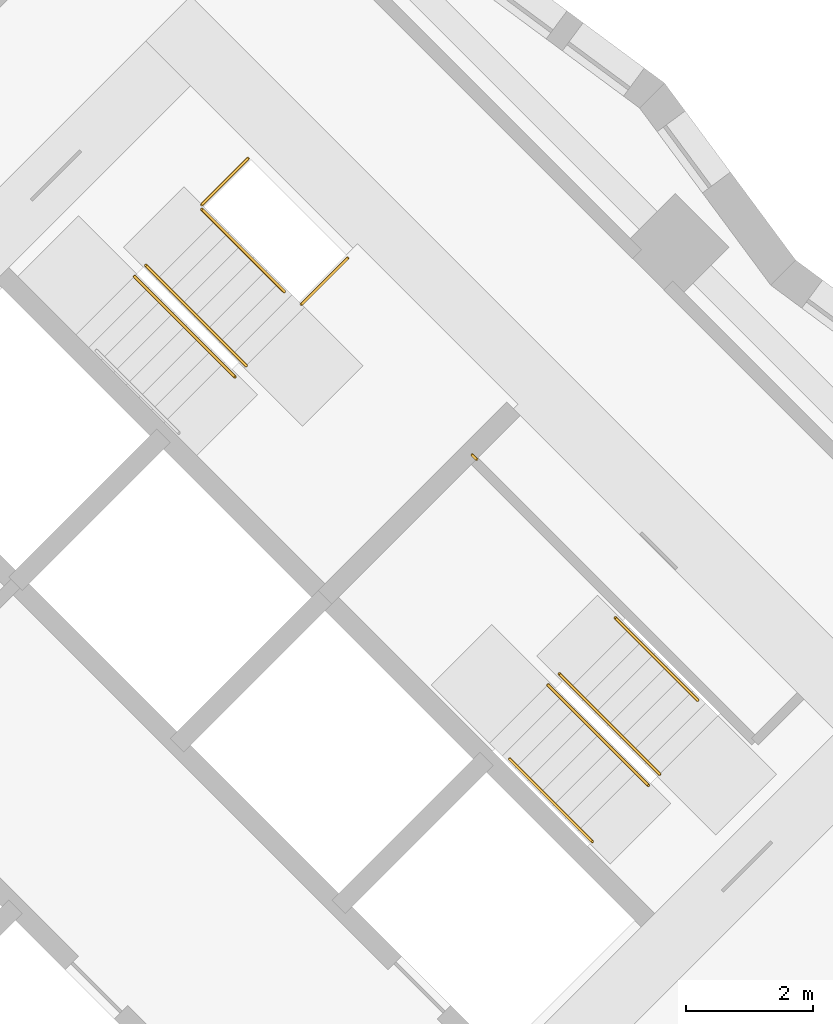
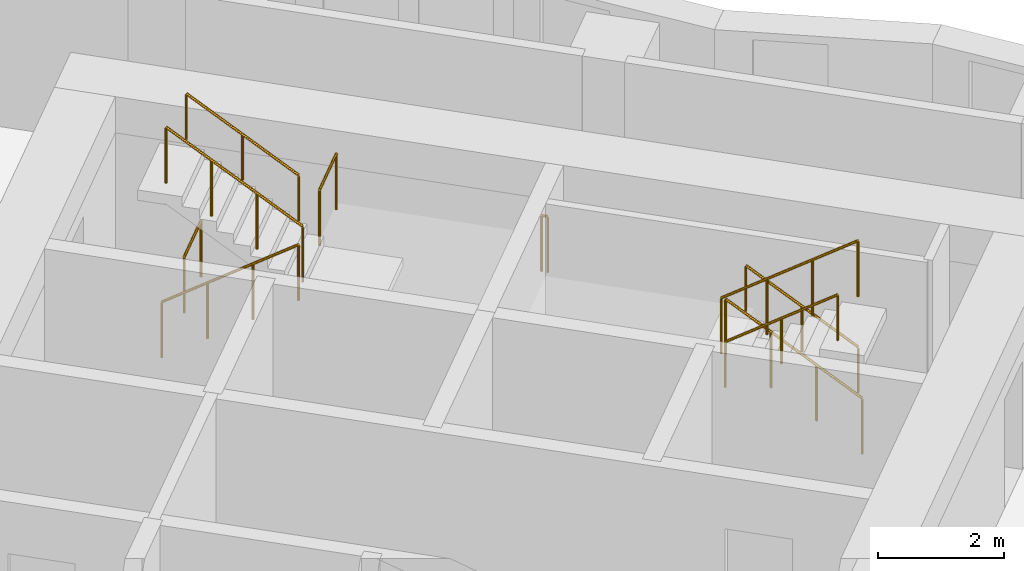
# One storey, part 12 of 12: 10 railings.
"""IFC4 building model written with IfcOpenShell, lengths in metres."""

from ifc_helpers import new_model, si_unit, direction, frame, origin, origin_2d, place, context, subcontext, project, spatial, circle, extrude, material, type_object, element, save


model = new_model("IFC4")

# Units and contexts
model_context = context("Model", 3, precision=1e-05, world=origin(), true_north=direction((0.0, 1.0)))
body_context = subcontext(model_context, "Body", "Model", "MODEL_VIEW")
ifc_project = project(units=[si_unit("LENGTHUNIT", "METRE"), si_unit("AREAUNIT", "SQUARE_METRE"), si_unit("VOLUMEUNIT", "CUBIC_METRE"), si_unit("PLANEANGLEUNIT", "RADIAN"), si_unit("MASSUNIT", "GRAM", prefix="KILO")], contexts=[model_context])

# Site, building, storey
site_placement = place(None, origin())
site = spatial("IfcSite", under=ifc_project, at=site_placement, CompositionType="ELEMENT")
building_placement = place(site_placement, origin())
building = spatial("IfcBuilding", under=site, at=building_placement, Name="Windrow Commons", CompositionType="ELEMENT")
storey_placement = place(building_placement, frame((0.0, 0.0, 50.8)))
storey = spatial("IfcBuildingStorey", under=building, at=storey_placement, Name="L13", CompositionType="ELEMENT", Elevation=50.8)

# Railings
ifc_material_1 = material(Name="Steel S355", Category="steel")
railing_type_1 = type_object("IfcRailingType", Name="Core stair guard 1100", PredefinedType="GUARDRAIL", material=ifc_material_1)
railing_1_placement = place(storey_placement, frame((85.9529, 56.2669, 0.1889)))
element("IfcRailing", 1, at=railing_1_placement, inside=storey, type_object=railing_type_1, Name="L13 ST-B1 stair guard 1", PredefinedType="GUARDRAIL", context=body_context, shape_type="SweptSolid", body=[
    extrude(circle(Radius=0.024, at=origin_2d()), frame((0.0, 0.0, 1.076), z_axis=(0.5861914914, -0.5861914914, 0.5592486664), x_axis=(0.7071067812, 0.7071067812, 0.0)), (0.0, 0.0, 1.0), 2.702),
    extrude(circle(Radius=0.021, at=origin_2d()), origin(), (0.0, 0.0, 1.0), 1.052),
    extrude(circle(Radius=0.021, at=origin_2d()), frame((0.528, -0.528, 0.5037)), (0.0, 0.0, 1.0), 1.052),
    extrude(circle(Radius=0.021, at=origin_2d()), frame((1.0559, -1.0559, 1.0074)), (0.0, 0.0, 1.0), 1.052),
    extrude(circle(Radius=0.021, at=origin_2d()), frame((1.5839, -1.5839, 1.5111)), (0.0, 0.0, 1.0), 1.052),
])
railing_2_placement = place(storey_placement, frame((87.7136, 54.8597, 1.8889)))
element("IfcRailing", 2, at=railing_2_placement, inside=storey, type_object=railing_type_1, Name="L13 ST-B1 stair guard 2", PredefinedType="GUARDRAIL", context=body_context, shape_type="SweptSolid", body=[
    extrude(circle(Radius=0.024, at=origin_2d()), frame((0.0, 0.0, 1.076), z_axis=(-0.5862030657, 0.5862030657, 0.5592244018), x_axis=(-0.7071067812, -0.7071067812, 0.0)), (0.0, 0.0, 1.0), 2.7021),
    extrude(circle(Radius=0.021, at=origin_2d()), origin(), (0.0, 0.0, 1.0), 1.052),
    extrude(circle(Radius=0.021, at=origin_2d()), frame((-0.528, 0.528, 0.5037)), (0.0, 0.0, 1.0), 1.052),
    extrude(circle(Radius=0.021, at=origin_2d()), frame((-1.056, 1.056, 1.0074)), (0.0, 0.0, 1.0), 1.052),
    extrude(circle(Radius=0.021, at=origin_2d()), frame((-1.584, 1.584, 1.5111)), (0.0, 0.0, 1.0), 1.052),
])
railing_3_placement = place(storey_placement, frame((87.0135, 57.3982, 0.0)))
element("IfcRailing", 3, at=railing_3_placement, inside=storey, type_object=railing_type_1, Name="L13 ST-B1 stair guard 3", PredefinedType="GUARDRAIL", context=body_context, shape_type="SweptSolid", body=[
    extrude(circle(Radius=0.024, at=origin_2d()), frame((0.0, 0.0, 1.076), z_axis=(0.7070582378, 0.7071553212, 0.0), x_axis=(-0.7071553212, 0.7070582378, 0.0)), (0.0, 0.0, 1.0), 1.03),
    extrude(circle(Radius=0.021, at=origin_2d()), origin(), (0.0, 0.0, 1.0), 1.052),
    extrude(circle(Radius=0.021, at=origin_2d()), frame((0.7283, 0.7284, 0.0)), (0.0, 0.0, 1.0), 1.052),
])
railing_4_placement = place(storey_placement, frame((88.5833, 55.8285, 1.7)))
element("IfcRailing", 4, at=railing_4_placement, inside=storey, type_object=railing_type_1, Name="L13 ST-B1 stair guard 4", PredefinedType="GUARDRAIL", context=body_context, shape_type="SweptSolid", body=[
    extrude(circle(Radius=0.024, at=origin_2d()), frame((0.0, 0.0, 1.076), z_axis=(0.7071067812, 0.7071067812, 0.0), x_axis=(-0.7071067812, 0.7071067812, 0.0)), (0.0, 0.0, 1.0), 1.03),
    extrude(circle(Radius=0.021, at=origin_2d()), origin(), (0.0, 0.0, 1.0), 1.052),
    extrude(circle(Radius=0.021, at=origin_2d()), frame((0.7283, 0.7283, 0.0)), (0.0, 0.0, 1.0), 1.052),
])
railing_5_placement = place(storey_placement, frame((94.2296, 48.4215, 0.1889)))
element("IfcRailing", 5, at=railing_5_placement, inside=storey, type_object=railing_type_1, Name="L13 ST-B2 stair guard 1", PredefinedType="GUARDRAIL", context=body_context, shape_type="SweptSolid", body=[
    extrude(circle(Radius=0.024, at=origin_2d()), frame((0.0, 0.0, 1.076), z_axis=(-0.5862157828, 0.5861787742, 0.5592365337), x_axis=(-0.7070844598, -0.7071291018, 0.0)), (0.0, 0.0, 1.0), 2.7021),
    extrude(circle(Radius=0.021, at=origin_2d()), origin(), (0.0, 0.0, 1.0), 1.052),
    extrude(circle(Radius=0.021, at=origin_2d()), frame((-0.528, 0.528, 0.5037)), (0.0, 0.0, 1.0), 1.052),
    extrude(circle(Radius=0.021, at=origin_2d()), frame((-1.056, 1.0559, 1.0074)), (0.0, 0.0, 1.0), 1.052),
    extrude(circle(Radius=0.021, at=origin_2d()), frame((-1.584, 1.5839, 1.5111)), (0.0, 0.0, 1.0), 1.052),
])
railing_6_placement = place(storey_placement, frame((92.4689, 49.8287, 1.8889)))
element("IfcRailing", 6, at=railing_6_placement, inside=storey, type_object=railing_type_1, Name="L13 ST-B2 stair guard 2", PredefinedType="GUARDRAIL", context=body_context, shape_type="SweptSolid", body=[
    extrude(circle(Radius=0.024, at=origin_2d()), frame((0.0, 0.0, 1.076), z_axis=(0.5861787742, -0.5862157828, 0.5592365337), x_axis=(0.7071291018, 0.7070844598, 0.0)), (0.0, 0.0, 1.0), 2.7021),
    extrude(circle(Radius=0.021, at=origin_2d()), origin(), (0.0, 0.0, 1.0), 1.052),
    extrude(circle(Radius=0.021, at=origin_2d()), frame((0.528, -0.528, 0.5037)), (0.0, 0.0, 1.0), 1.052),
    extrude(circle(Radius=0.021, at=origin_2d()), frame((1.0559, -1.056, 1.0074)), (0.0, 0.0, 1.0), 1.052),
    extrude(circle(Radius=0.021, at=origin_2d()), frame((1.5839, -1.584, 1.5111)), (0.0, 0.0, 1.0), 1.052),
])
railing_7_placement = place(storey_placement, frame((91.3446, 53.3854, 1.7)))
element("IfcRailing", 7, at=railing_7_placement, inside=storey, type_object=railing_type_1, Name="L13 ST-B2 stair guard 3", PredefinedType="GUARDRAIL", context=body_context, shape_type="SweptSolid", body=[
    extrude(circle(Radius=0.024, at=origin_2d()), frame((0.0, 0.0, 1.076), z_axis=(-0.7076063266, 0.7066068826, 0.0), x_axis=(-0.7066068826, -0.7076063266, 0.0)), (0.0, 0.0, 1.0), 0.1001),
    extrude(circle(Radius=0.021, at=origin_2d()), origin(), (0.0, 0.0, 1.0), 1.052),
    extrude(circle(Radius=0.021, at=origin_2d()), frame((-0.0708, 0.0707, 0.0)), (0.0, 0.0, 1.0), 1.052),
])
ifc_material_2 = material(Name="Steel S355", Category="steel")
railing_type_2 = type_object("IfcRailingType", Name="Core stair handrail 900", PredefinedType="HANDRAIL", material=ifc_material_2)
for number, where, name in (
    (8, (88.3146, 56.0265, 2.1587), "L13 ST-B1 stair handrail 2"),
    (9, (94.8306, 49.5883, 0.4587), "L13 ST-B2 stair handrail 1"),
):
    element("IfcRailing", number, at=place(storey_placement, frame(where)), inside=storey, type_object=railing_type_2, Name=name, PredefinedType="HANDRAIL", context=body_context, shape_type="SweptSolid", body=[
        extrude(circle(Radius=0.024, at=origin_2d()), frame((0.0, 0.0, 0.876), z_axis=(-0.586206706, 0.5861616513, 0.5592639952), x_axis=(-0.7070796062, -0.7071339551, 0.0)), (0.0, 0.0, 1.0), 2.2195),
        extrude(circle(Radius=0.021, at=origin_2d()), origin(), (0.0, 0.0, 1.0), 0.852),
        extrude(circle(Radius=0.021, at=origin_2d()), frame((-0.6506, 0.6505, 0.6207)), (0.0, 0.0, 1.0), 0.852),
        extrude(circle(Radius=0.021, at=origin_2d()), frame((-1.3011, 1.301, 1.2413)), (0.0, 0.0, 1.0), 0.852),
    ])
railing_8_placement = place(storey_placement, frame((91.8678, 48.6619, 2.1587)))
element("IfcRailing", 10, at=railing_8_placement, inside=storey, type_object=railing_type_2, Name="L13 ST-B2 stair handrail 2", PredefinedType="HANDRAIL", context=body_context, shape_type="SweptSolid", body=[
    extrude(circle(Radius=0.024, at=origin_2d()), frame((0.0, 0.0, 0.876), z_axis=(0.586206706, -0.5861616513, 0.5592639952), x_axis=(0.7070796062, 0.7071339551, 0.0)), (0.0, 0.0, 1.0), 2.2195),
    extrude(circle(Radius=0.021, at=origin_2d()), origin(), (0.0, 0.0, 1.0), 0.852),
    extrude(circle(Radius=0.021, at=origin_2d()), frame((0.6505, -0.6505, 0.6207)), (0.0, 0.0, 1.0), 0.852),
    extrude(circle(Radius=0.021, at=origin_2d()), frame((1.3011, -1.301, 1.2413)), (0.0, 0.0, 1.0), 0.852),
])

save(model, "model.ifc")
